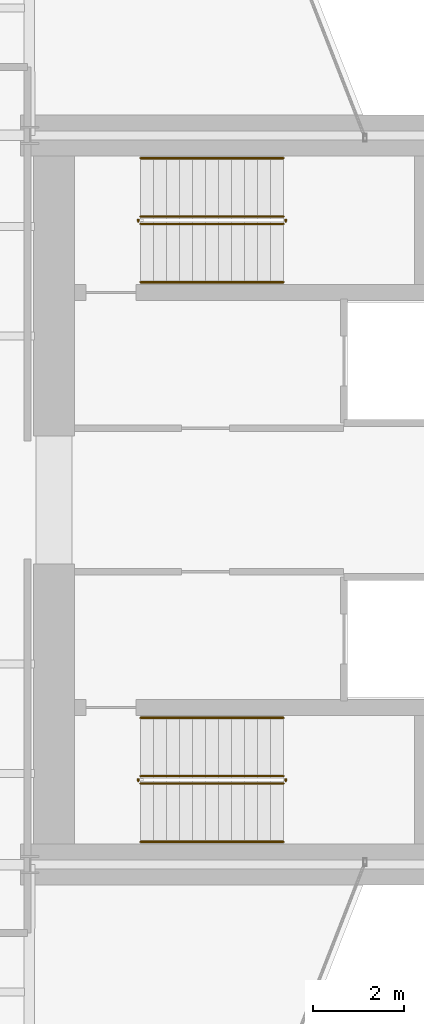
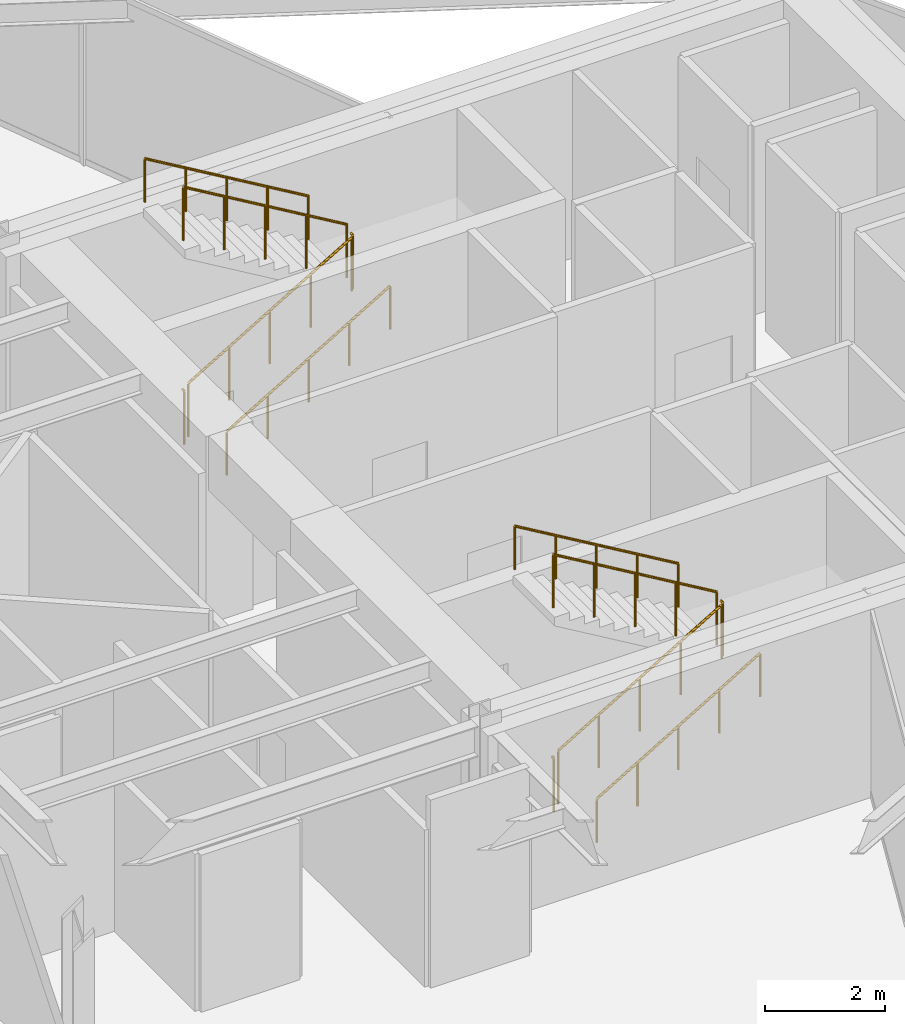
# One storey, part 30 of 30: 12 railings.
"""IFC4 building model written with IfcOpenShell, lengths in metres."""

from ifc_helpers import new_model, si_unit, direction, frame, origin, origin_2d, place, context, subcontext, project, spatial, circle, extrude, material, type_object, element, save


model = new_model("IFC4")

# Units and contexts
model_context = context("Model", 3, precision=1e-05, world=origin(), true_north=direction((0.0, 1.0)))
body_context = subcontext(model_context, "Body", "Model", "MODEL_VIEW")
ifc_project = project(units=[si_unit("LENGTHUNIT", "METRE"), si_unit("AREAUNIT", "SQUARE_METRE"), si_unit("VOLUMEUNIT", "CUBIC_METRE"), si_unit("PLANEANGLEUNIT", "RADIAN"), si_unit("MASSUNIT", "GRAM", prefix="KILO")], contexts=[model_context])

# Site, building, storey
site_placement = place(None, origin())
site = spatial("IfcSite", under=ifc_project, at=site_placement, CompositionType="ELEMENT")
building_placement = place(site_placement, origin())
building = spatial("IfcBuilding", under=site, at=building_placement, Name="Veymaron Broadcast Tower", CompositionType="ELEMENT")
storey_placement = place(building_placement, frame((0.0, 0.0, 49.949951171875)))
storey = spatial("IfcBuildingStorey", under=building, at=storey_placement, Name="L10", CompositionType="ELEMENT", Elevation=49.949951171875)

# Railings
ifc_material_1 = material(Name="Brushed stainless steel AISI 304", Category="steel")
railing_type_1 = type_object("IfcRailingType", Name="RAIL-STAIR-HR", PredefinedType="HANDRAIL", material=ifc_material_1)
railing_1_placement = place(storey_placement, frame((41.429931640625, 28.780029296875, 0.168701171875)))
element("IfcRailing", 1, at=railing_1_placement, inside=storey, type_object=railing_type_1, Name="L10 ST1 stair handrail 1", PredefinedType="HANDRAIL", context=body_context, shape_type="SweptSolid", body=[
    extrude(circle(Radius=0.02392578125, at=origin_2d()), frame((0.0, 0.0, 0.8759765625), z_axis=(0.860452582533, 0.0, 0.509530522356), x_axis=(0.0, 1.0, 0.0)), (0.0, 0.0, 1.0), 3.6435546875),
    extrude(circle(Radius=0.02099609375, at=origin_2d()), origin(), (0.0, 0.0, 1.0), 0.851806640625),
    extrude(circle(Radius=0.02099609375, at=origin_2d()), frame((0.78369140625, 0.0, 0.464111328125)), (0.0, 0.0, 1.0), 0.851806640625),
    extrude(circle(Radius=0.02099609375, at=origin_2d()), frame((1.5673828125, 0.0, 0.92822265625)), (0.0, 0.0, 1.0), 0.851806640625),
    extrude(circle(Radius=0.02099609375, at=origin_2d()), frame((2.351318359375, 0.0, 1.392333984375)), (0.0, 0.0, 1.0), 0.851806640625),
    extrude(circle(Radius=0.02099609375, at=origin_2d()), frame((3.135009765625, 0.0, 1.8564453125)), (0.0, 0.0, 1.0), 0.851806640625),
])
railing_2_placement = place(storey_placement, frame((44.56494140625, 31.5, 2.19384765625)))
element("IfcRailing", 2, at=railing_2_placement, inside=storey, type_object=railing_type_1, Name="L10 ST1 stair handrail 2", PredefinedType="HANDRAIL", context=body_context, shape_type="SweptSolid", body=[
    extrude(circle(Radius=0.02392578125, at=origin_2d()), frame((0.0, 0.0, 0.8759765625), z_axis=(-0.860481960309, 0.0, 0.509480908359), x_axis=(0.0, -1.0, 0.0)), (0.0, 0.0, 1.0), 3.643310546875),
    extrude(circle(Radius=0.02099609375, at=origin_2d()), origin(), (0.0, 0.0, 1.0), 0.851806640625),
    extrude(circle(Radius=0.02099609375, at=origin_2d()), frame((-0.78369140625, 0.0, 0.464111328125)), (0.0, 0.0, 1.0), 0.851806640625),
    extrude(circle(Radius=0.02099609375, at=origin_2d()), frame((-1.5673828125, 0.0, 0.92822265625)), (0.0, 0.0, 1.0), 0.851806640625),
    extrude(circle(Radius=0.02099609375, at=origin_2d()), frame((-2.351318359375, 0.0, 1.39208984375)), (0.0, 0.0, 1.0), 0.851806640625),
    extrude(circle(Radius=0.02099609375, at=origin_2d()), frame((-3.135009765625, 0.0, 1.856201171875)), (0.0, 0.0, 1.0), 0.851806640625),
])
railing_3_placement = place(storey_placement, frame((41.429931640625, 16.5, 0.168701171875)))
element("IfcRailing", 3, at=railing_3_placement, inside=storey, type_object=railing_type_1, Name="L10 ST2 stair handrail 1", PredefinedType="HANDRAIL", context=body_context, shape_type="SweptSolid", body=[
    extrude(circle(Radius=0.02392578125, at=origin_2d()), frame((0.0, 0.0, 0.8759765625), z_axis=(0.860452582533, 0.0, 0.509530522356), x_axis=(0.0, 1.0, 0.0)), (0.0, 0.0, 1.0), 3.6435546875),
    extrude(circle(Radius=0.02099609375, at=origin_2d()), origin(), (0.0, 0.0, 1.0), 0.851806640625),
    extrude(circle(Radius=0.02099609375, at=origin_2d()), frame((0.78369140625, 0.0, 0.464111328125)), (0.0, 0.0, 1.0), 0.851806640625),
    extrude(circle(Radius=0.02099609375, at=origin_2d()), frame((1.5673828125, 0.0, 0.92822265625)), (0.0, 0.0, 1.0), 0.851806640625),
    extrude(circle(Radius=0.02099609375, at=origin_2d()), frame((2.351318359375, 0.0, 1.392333984375)), (0.0, 0.0, 1.0), 0.851806640625),
    extrude(circle(Radius=0.02099609375, at=origin_2d()), frame((3.135009765625, 0.0, 1.8564453125)), (0.0, 0.0, 1.0), 0.851806640625),
])
railing_4_placement = place(storey_placement, frame((44.56494140625, 19.219970703125, 2.19384765625)))
element("IfcRailing", 4, at=railing_4_placement, inside=storey, type_object=railing_type_1, Name="L10 ST2 stair handrail 2", PredefinedType="HANDRAIL", context=body_context, shape_type="SweptSolid", body=[
    extrude(circle(Radius=0.02392578125, at=origin_2d()), frame((0.0, 0.0, 0.8759765625), z_axis=(-0.860481960309, 0.0, 0.509480908359), x_axis=(0.0, -1.0, 0.0)), (0.0, 0.0, 1.0), 3.643310546875),
    extrude(circle(Radius=0.02099609375, at=origin_2d()), origin(), (0.0, 0.0, 1.0), 0.851806640625),
    extrude(circle(Radius=0.02099609375, at=origin_2d()), frame((-0.78369140625, 0.0, 0.464111328125)), (0.0, 0.0, 1.0), 0.851806640625),
    extrude(circle(Radius=0.02099609375, at=origin_2d()), frame((-1.5673828125, 0.0, 0.92822265625)), (0.0, 0.0, 1.0), 0.851806640625),
    extrude(circle(Radius=0.02099609375, at=origin_2d()), frame((-2.351318359375, 0.0, 1.39208984375)), (0.0, 0.0, 1.0), 0.851806640625),
    extrude(circle(Radius=0.02099609375, at=origin_2d()), frame((-3.135009765625, 0.0, 1.856201171875)), (0.0, 0.0, 1.0), 0.851806640625),
])
ifc_material_2 = material(Name="Painted galvanized steel balustrade", Category="steel")
railing_type_2 = type_object("IfcRailingType", Name="RAIL-WELL-GRD", PredefinedType="GUARDRAIL", material=ifc_material_2)
railing_5_placement = place(storey_placement, frame((41.429931640625, 30.06005859375, 0.168701171875)))
element("IfcRailing", 5, at=railing_5_placement, inside=storey, type_object=railing_type_2, Name="L10 ST1 stair guard 1", PredefinedType="GUARDRAIL", context=body_context, shape_type="SweptSolid", body=[
    extrude(circle(Radius=0.02392578125, at=origin_2d()), frame((0.0, 0.0, 1.076171875), z_axis=(0.860452582533, 0.0, 0.509530522356), x_axis=(0.0, 1.0, 0.0)), (0.0, 0.0, 1.0), 3.6435546875),
    extrude(circle(Radius=0.02099609375, at=origin_2d()), origin(), (0.0, 0.0, 1.0), 1.052001953125),
    extrude(circle(Radius=0.02099609375, at=origin_2d()), frame((0.78369140625, 0.0, 0.464111328125)), (0.0, 0.0, 1.0), 1.052001953125),
    extrude(circle(Radius=0.02099609375, at=origin_2d()), frame((1.5673828125, 0.0, 0.92822265625)), (0.0, 0.0, 1.0), 1.052001953125),
    extrude(circle(Radius=0.02099609375, at=origin_2d()), frame((2.351318359375, 0.0, 1.392333984375)), (0.0, 0.0, 1.0), 1.052001953125),
    extrude(circle(Radius=0.02099609375, at=origin_2d()), frame((3.135009765625, 0.0, 1.8564453125)), (0.0, 0.0, 1.0), 1.052001953125),
])
railing_6_placement = place(storey_placement, frame((44.614990234375, 30.110107421875, 2.025146484375)))
element("IfcRailing", 6, at=railing_6_placement, inside=storey, type_object=railing_type_2, Name="L10 ST1 stair guard 2", PredefinedType="GUARDRAIL", context=body_context, shape_type="SweptSolid", body=[
    extrude(circle(Radius=0.02392578125, at=origin_2d()), frame((0.0, 0.0, 1.076171875), z_axis=(0.0, 1.0, 0.0), x_axis=(-1.0, 0.0, 0.0)), (0.0, 0.0, 1.0), 0.059814453125),
    extrude(circle(Radius=0.02099609375, at=origin_2d()), origin(), (0.0, 0.0, 1.0), 1.052001953125),
])
railing_7_placement = place(storey_placement, frame((44.56494140625, 30.219970703125, 2.19384765625)))
element("IfcRailing", 7, at=railing_7_placement, inside=storey, type_object=railing_type_2, Name="L10 ST1 stair guard 3", PredefinedType="GUARDRAIL", context=body_context, shape_type="SweptSolid", body=[
    extrude(circle(Radius=0.02392578125, at=origin_2d()), frame((0.0, 0.0, 1.076171875), z_axis=(-0.860481960309, 0.0, 0.509480908359), x_axis=(0.0, -1.0, 0.0)), (0.0, 0.0, 1.0), 3.643310546875),
    extrude(circle(Radius=0.02099609375, at=origin_2d()), origin(), (0.0, 0.0, 1.0), 1.052001953125),
    extrude(circle(Radius=0.02099609375, at=origin_2d()), frame((-0.78369140625, 0.0, 0.464111328125)), (0.0, 0.0, 1.0), 1.052001953125),
    extrude(circle(Radius=0.02099609375, at=origin_2d()), frame((-1.5673828125, 0.0, 0.92822265625)), (0.0, 0.0, 1.0), 1.052001953125),
    extrude(circle(Radius=0.02099609375, at=origin_2d()), frame((-2.351318359375, 0.0, 1.39208984375)), (0.0, 0.0, 1.0), 1.052001953125),
    extrude(circle(Radius=0.02099609375, at=origin_2d()), frame((-3.135009765625, 0.0, 1.856201171875)), (0.0, 0.0, 1.0), 1.052001953125),
])
railing_8_placement = place(storey_placement, frame((41.3798828125, 30.110107421875, 0.0)))
element("IfcRailing", 8, at=railing_8_placement, inside=storey, type_object=railing_type_2, Name="L10 ST1 stair guard 4", PredefinedType="GUARDRAIL", context=body_context, shape_type="SweptSolid", body=[
    extrude(circle(Radius=0.02392578125, at=origin_2d()), frame((0.0, 0.0, 1.076171875), z_axis=(0.0, 1.0, 0.0), x_axis=(-1.0, 0.0, 0.0)), (0.0, 0.0, 1.0), 0.059814453125),
    extrude(circle(Radius=0.02099609375, at=origin_2d()), origin(), (0.0, 0.0, 1.0), 1.052001953125),
])
railing_9_placement = place(storey_placement, frame((41.429931640625, 17.780029296875, 0.168701171875)))
element("IfcRailing", 9, at=railing_9_placement, inside=storey, type_object=railing_type_2, Name="L10 ST2 stair guard 1", PredefinedType="GUARDRAIL", context=body_context, shape_type="SweptSolid", body=[
    extrude(circle(Radius=0.02392578125, at=origin_2d()), frame((0.0, 0.0, 1.076171875), z_axis=(0.860452582533, 0.0, 0.509530522356), x_axis=(0.0, 1.0, 0.0)), (0.0, 0.0, 1.0), 3.6435546875),
    extrude(circle(Radius=0.02099609375, at=origin_2d()), origin(), (0.0, 0.0, 1.0), 1.052001953125),
    extrude(circle(Radius=0.02099609375, at=origin_2d()), frame((0.78369140625, 0.0, 0.464111328125)), (0.0, 0.0, 1.0), 1.052001953125),
    extrude(circle(Radius=0.02099609375, at=origin_2d()), frame((1.5673828125, 0.0, 0.92822265625)), (0.0, 0.0, 1.0), 1.052001953125),
    extrude(circle(Radius=0.02099609375, at=origin_2d()), frame((2.351318359375, 0.0, 1.392333984375)), (0.0, 0.0, 1.0), 1.052001953125),
    extrude(circle(Radius=0.02099609375, at=origin_2d()), frame((3.135009765625, 0.0, 1.8564453125)), (0.0, 0.0, 1.0), 1.052001953125),
])
railing_10_placement = place(storey_placement, frame((44.614990234375, 17.830078125, 2.025146484375)))
element("IfcRailing", 10, at=railing_10_placement, inside=storey, type_object=railing_type_2, Name="L10 ST2 stair guard 2", PredefinedType="GUARDRAIL", context=body_context, shape_type="SweptSolid", body=[
    extrude(circle(Radius=0.02392578125, at=origin_2d()), frame((0.0, 0.0, 1.076171875), z_axis=(0.0, 1.0, 0.0), x_axis=(-1.0, 0.0, 0.0)), (0.0, 0.0, 1.0), 0.059814453125),
    extrude(circle(Radius=0.02099609375, at=origin_2d()), origin(), (0.0, 0.0, 1.0), 1.052001953125),
])
railing_11_placement = place(storey_placement, frame((44.56494140625, 17.93994140625, 2.19384765625)))
element("IfcRailing", 11, at=railing_11_placement, inside=storey, type_object=railing_type_2, Name="L10 ST2 stair guard 3", PredefinedType="GUARDRAIL", context=body_context, shape_type="SweptSolid", body=[
    extrude(circle(Radius=0.02392578125, at=origin_2d()), frame((0.0, 0.0, 1.076171875), z_axis=(-0.860481960309, 0.0, 0.509480908359), x_axis=(0.0, -1.0, 0.0)), (0.0, 0.0, 1.0), 3.643310546875),
    extrude(circle(Radius=0.02099609375, at=origin_2d()), origin(), (0.0, 0.0, 1.0), 1.052001953125),
    extrude(circle(Radius=0.02099609375, at=origin_2d()), frame((-0.78369140625, 0.0, 0.464111328125)), (0.0, 0.0, 1.0), 1.052001953125),
    extrude(circle(Radius=0.02099609375, at=origin_2d()), frame((-1.5673828125, 0.0, 0.92822265625)), (0.0, 0.0, 1.0), 1.052001953125),
    extrude(circle(Radius=0.02099609375, at=origin_2d()), frame((-2.351318359375, 0.0, 1.39208984375)), (0.0, 0.0, 1.0), 1.052001953125),
    extrude(circle(Radius=0.02099609375, at=origin_2d()), frame((-3.135009765625, 0.0, 1.856201171875)), (0.0, 0.0, 1.0), 1.052001953125),
])
railing_12_placement = place(storey_placement, frame((41.3798828125, 17.830078125, 0.0)))
element("IfcRailing", 12, at=railing_12_placement, inside=storey, type_object=railing_type_2, Name="L10 ST2 stair guard 4", PredefinedType="GUARDRAIL", context=body_context, shape_type="SweptSolid", body=[
    extrude(circle(Radius=0.02392578125, at=origin_2d()), frame((0.0, 0.0, 1.076171875), z_axis=(0.0, 1.0, 0.0), x_axis=(-1.0, 0.0, 0.0)), (0.0, 0.0, 1.0), 0.059814453125),
    extrude(circle(Radius=0.02099609375, at=origin_2d()), origin(), (0.0, 0.0, 1.0), 1.052001953125),
])

save(model, "model.ifc")
